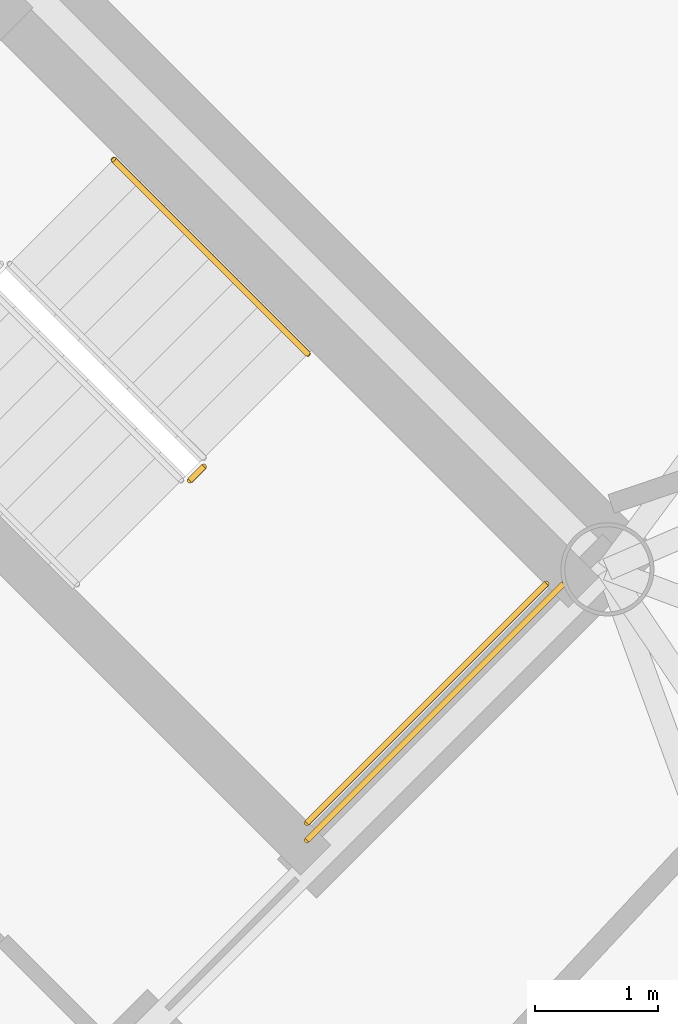
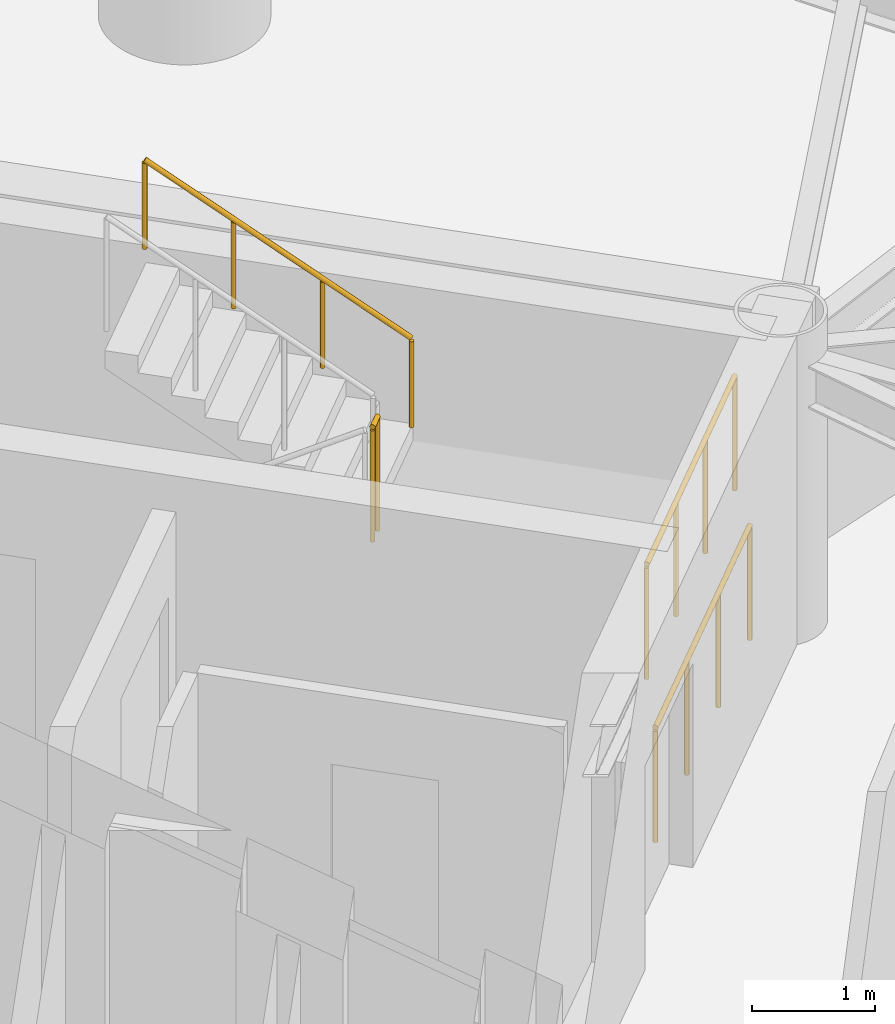
# One storey, part 18 of 19: 4 railings.
"""IFC4 building model written with IfcOpenShell, lengths in metres."""

from ifc_helpers import new_model, si_unit, direction, frame, origin, origin_2d, place, context, subcontext, project, spatial, circle, extrude, material, type_object, element, save


model = new_model("IFC4")

# Units and contexts
model_context = context("Model", 3, precision=1e-05, world=origin(), true_north=direction((0.0, 1.0)))
body_context = subcontext(model_context, "Body", "Model", "MODEL_VIEW")
ifc_project = project(units=[si_unit("LENGTHUNIT", "METRE"), si_unit("AREAUNIT", "SQUARE_METRE"), si_unit("VOLUMEUNIT", "CUBIC_METRE"), si_unit("PLANEANGLEUNIT", "RADIAN"), si_unit("MASSUNIT", "GRAM", prefix="KILO")], contexts=[model_context])

# Site, building, storey
site_placement = place(None, origin())
site = spatial("IfcSite", under=ifc_project, at=site_placement, CompositionType="ELEMENT")
building_placement = place(site_placement, origin())
building = spatial("IfcBuilding", under=site, at=building_placement, Name="Cununo Teusaquillo Station Towers", CompositionType="ELEMENT")
storey_placement = place(building_placement, frame((0.0, 0.0, 144.0400390625)))
storey = spatial("IfcBuildingStorey", under=building, at=storey_placement, Name="L45", CompositionType="ELEMENT", Elevation=144.0400390625)

# Railings
ifc_material_1 = material(Name="Steel EN 10025-2 S355J2", Category="steel")
railing_type_1 = type_object("IfcRailingType", Name="RL-INT-GUARD", PredefinedType="GUARDRAIL", material=ifc_material_1)
railing_1_placement = place(storey_placement, frame((62.619384765625, 24.019287109375, 1.530029296875)))
element("IfcRailing", 1, at=railing_1_placement, inside=storey, type_object=railing_type_1, Name="L45 ST-T2-2 stair guard 2", PredefinedType="GUARDRAIL", context=body_context, shape_type="SweptSolid", body=[
    extrude(circle(Radius=0.02392578125, at=origin_2d()), frame((0.0, 0.0, 1.1259765625), z_axis=(0.7078691598, 0.706343579714, 0.0), x_axis=(-0.706343579714, 0.7078691598, 0.0)), (0.0, 0.0, 1.0), 0.159912109375),
    extrude(circle(Radius=0.02099609375, at=origin_2d()), origin(), (0.0, 0.0, 1.0), 1.101806640625),
    extrude(circle(Radius=0.02099609375, at=origin_2d()), frame((0.11328125, 0.113037109375, 0.0)), (0.0, 0.0, 1.0), 1.101806640625),
])
railing_2_placement = place(storey_placement, frame((63.573974609375, 21.22607421875, 1.530029296875)))
element("IfcRailing", 2, at=railing_2_placement, inside=storey, type_object=railing_type_1, Name="L45 ST-T2-2 stair guard 3", PredefinedType="GUARDRAIL", context=body_context, shape_type="SweptSolid", body=[
    extrude(circle(Radius=0.02392578125, at=origin_2d()), frame((0.0, 0.0, 1.1259765625), z_axis=(0.707106781187, 0.707106781187, 0.0), x_axis=(-0.707106781187, 0.707106781187, 0.0)), (0.0, 0.0, 1.0), 2.760009765625),
    extrude(circle(Radius=0.02099609375, at=origin_2d()), origin(), (0.0, 0.0, 1.0), 1.101806640625),
    extrude(circle(Radius=0.02099609375, at=origin_2d()), frame((0.650634765625, 0.650634765625, 0.0)), (0.0, 0.0, 1.0), 1.101806640625),
    extrude(circle(Radius=0.02099609375, at=origin_2d()), frame((1.301025390625, 1.301025390625, 0.0)), (0.0, 0.0, 1.0), 1.101806640625),
    extrude(circle(Radius=0.02099609375, at=origin_2d()), frame((1.95166015625, 1.95166015625, 0.0)), (0.0, 0.0, 1.0), 1.101806640625),
])
railing_3_placement = place(storey_placement, frame((63.573974609375, 21.084716796875, 0.0)))
element("IfcRailing", 3, at=railing_3_placement, inside=storey, type_object=railing_type_1, Name="L45 ST-T2-2 stair guard 6", PredefinedType="GUARDRAIL", context=body_context, shape_type="SweptSolid", body=[
    extrude(circle(Radius=0.02392578125, at=origin_2d()), frame((0.0, 0.0, 1.1259765625), z_axis=(0.707106781187, 0.707106781187, 0.0), x_axis=(-0.707106781187, 0.707106781187, 0.0)), (0.0, 0.0, 1.0), 2.9599609375),
    extrude(circle(Radius=0.02099609375, at=origin_2d()), origin(), (0.0, 0.0, 1.0), 1.101806640625),
    extrude(circle(Radius=0.02099609375, at=origin_2d()), frame((0.69775390625, 0.69775390625, 0.0)), (0.0, 0.0, 1.0), 1.101806640625),
    extrude(circle(Radius=0.02099609375, at=origin_2d()), frame((1.395263671875, 1.395263671875, 0.0)), (0.0, 0.0, 1.0), 1.101806640625),
    extrude(circle(Radius=0.02099609375, at=origin_2d()), frame((2.093017578125, 2.093017578125, 0.0)), (0.0, 0.0, 1.0), 1.101806640625),
])
ifc_material_2 = material(Name="Steel EN 10025-2 S355J2", Category="steel")
railing_type_2 = type_object("IfcRailingType", Name="RL-INT-HRAIL", PredefinedType="HANDRAIL", material=ifc_material_2)
railing_4_placement = place(storey_placement, frame((63.5810546875, 25.051513671875, 1.699951171875)))
element("IfcRailing", 4, at=railing_4_placement, inside=storey, type_object=railing_type_2, Name="L45 ST-T2-2 stair handrail 2", PredefinedType="HANDRAIL", context=body_context, shape_type="SweptSolid", body=[
    extrude(circle(Radius=0.02392578125, at=origin_2d()), frame((0.0, 0.0, 0.8759765625), z_axis=(-0.604419889799, 0.604419889799, 0.518992479358), x_axis=(-0.707106781187, -0.707106781187, 0.0)), (0.0, 0.0, 1.0), 2.62060546875),
    extrude(circle(Radius=0.02099609375, at=origin_2d()), origin(), (0.0, 0.0, 1.0), 0.851806640625),
    extrude(circle(Radius=0.02099609375, at=origin_2d()), frame((-0.528076171875, 0.528076171875, 0.453369140625)), (0.0, 0.0, 1.0), 0.851806640625),
    extrude(circle(Radius=0.02099609375, at=origin_2d()), frame((-1.055908203125, 1.055908203125, 0.90673828125)), (0.0, 0.0, 1.0), 0.851806640625),
    extrude(circle(Radius=0.02099609375, at=origin_2d()), frame((-1.583984375, 1.583984375, 1.360107421875)), (0.0, 0.0, 1.0), 0.851806640625),
])

save(model, "model.ifc")
